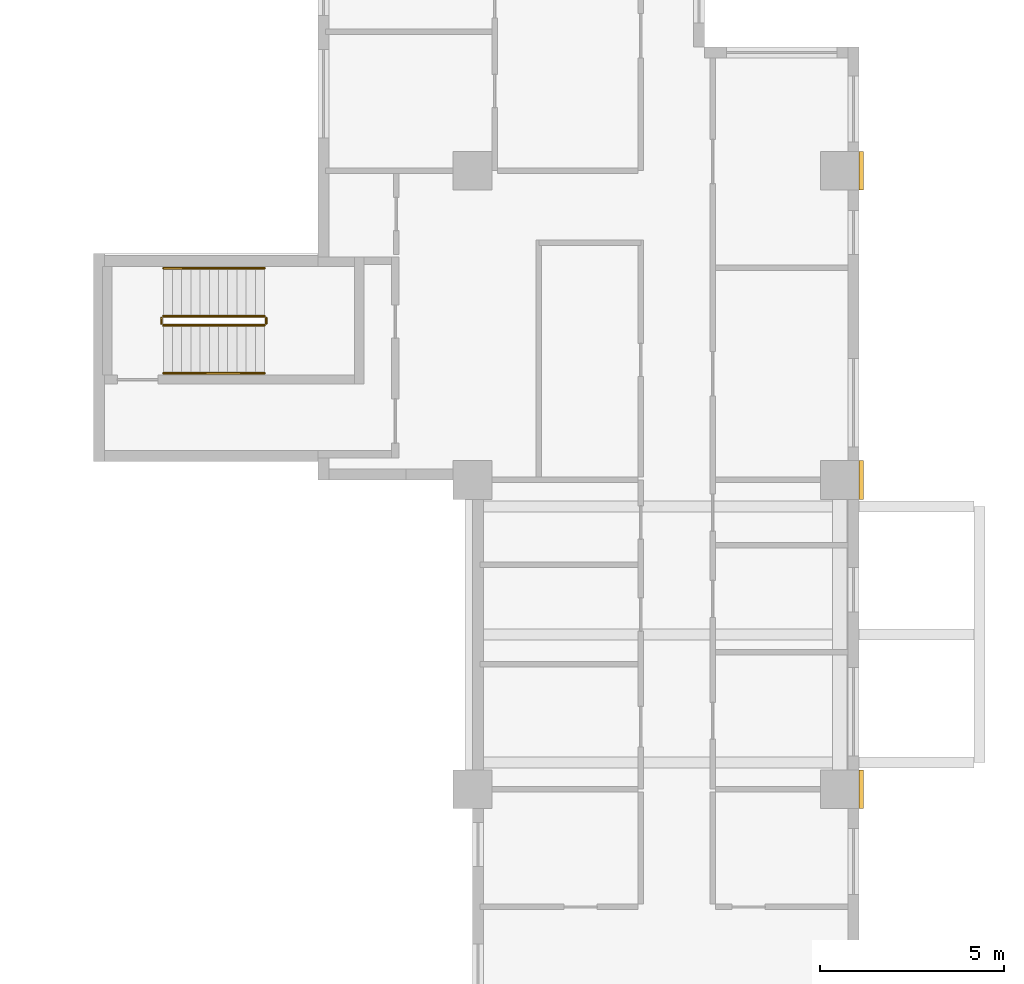
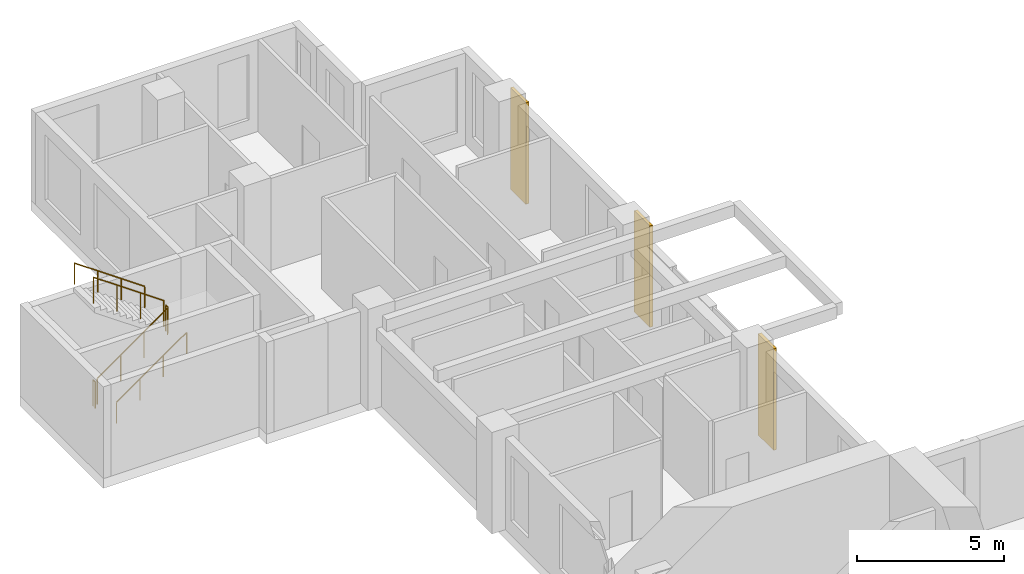
# One storey, part 13 of 14: 6 railings, 3 coverings.
"""IFC4 building model written with IfcOpenShell, lengths in metres."""

import ifcopenshell
import ifcopenshell.guid

model = None  # the IFC model being written
_history = None  # IfcOwnerHistory: only IFC2X3 demands one
_inside = {}  # id of a spatial element -> (the spatial element, [elements in it])
_under = {}  # id of a project, library or spatial element -> (it, [spatial elements below it])
_declared = {}  # id of a project -> (the project, [libraries it declares])
_typed = {}  # id of a type object -> (the type object, [elements of that type])
_made_of = {}  # id of a material, layer set ... -> (it, [elements and type objects made of it])


def new_model(schema):
    """Start an empty IFC model of exactly this schema.

    Asked for "IFC4X3", IfcOpenShell would pick the latest addendum, in which some entities
    have other attributes; the version numbers below select the first issue.
    IFC2X3 requires an IfcOwnerHistory on every rooted entity: one is made here for all.
    """
    global model, _history
    if schema == "IFC4X3":
        model = ifcopenshell.file(schema_version=(4, 3, 0, 0))
    else:
        model = ifcopenshell.file(schema=schema)
    _inside.clear()
    _under.clear()
    _declared.clear()
    _typed.clear()
    _made_of.clear()
    _history = None
    if model.schema == "IFC2X3":
        org = make("IfcOrganization", Name="unknown")
        user = make(
            "IfcPersonAndOrganization",
            ThePerson=make("IfcPerson", FamilyName="unknown"),
            TheOrganization=org,
        )
        app = make(
            "IfcApplication",
            ApplicationDeveloper=org,
            Version="unknown",
            ApplicationFullName="unknown",
            ApplicationIdentifier="unknown",
        )
        _history = make(
            "IfcOwnerHistory",
            OwningUser=user,
            OwningApplication=app,
            ChangeAction="ADDED",
            CreationDate=0,
        )
    return model


def make(cls, **values):
    """One entity of the class cls with the attributes given. An attribute that is None is left unset."""
    return model.create_entity(
        cls, **{name: value for name, value in values.items() if value is not None}
    )


def rooted(cls, **values):
    """An entity with a GlobalId (a new one), such as an element, a storey or a relation."""
    return make(cls, GlobalId=ifcopenshell.guid.new(), OwnerHistory=_history, **values)


def si_unit(unit_type, name, prefix=None):
    """IfcSIUnit, for example si_unit("LENGTHUNIT", "METRE", prefix="MILLI")."""
    return make("IfcSIUnit", UnitType=unit_type, Prefix=prefix, Name=name)


def assignment(units):
    """IfcUnitAssignment: the units of a project."""
    return None if units is None else make("IfcUnitAssignment", Units=units)


def point(xyz):
    """IfcCartesianPoint."""
    return None if xyz is None else make("IfcCartesianPoint", Coordinates=xyz)


def direction(xyz):
    """IfcDirection."""
    return None if xyz is None else make("IfcDirection", DirectionRatios=xyz)


def frame(location, z_axis=None, x_axis=None):
    """IfcAxis2Placement3D, a coordinate frame: its origin and axes. An axis left out is left unset."""
    return make(
        "IfcAxis2Placement3D",
        Location=point(location),
        Axis=direction(z_axis),
        RefDirection=direction(x_axis),
    )


def frame_2d(location, x_axis=None):
    """IfcAxis2Placement2D, a coordinate frame in the plane: its origin and x axis."""
    return make(
        "IfcAxis2Placement2D", Location=point(location), RefDirection=direction(x_axis)
    )


def origin():
    """The frame at (0, 0, 0) with its axes left unset."""
    return frame((0.0, 0.0, 0.0))


def origin_2d():
    """The frame at (0, 0) in the plane with its x axis left unset."""
    return frame_2d((0.0, 0.0))


def place(relative_to, where):
    """IfcLocalPlacement: puts the frame where relative to a parent placement (None: the world)."""
    return make(
        "IfcLocalPlacement", PlacementRelTo=relative_to, RelativePlacement=where
    )


def context(
    kind, dimensions, precision=None, world=None, true_north=None, identifier=None
):
    """IfcGeometricRepresentationContext, for example the 3D "Model" context."""
    return make(
        "IfcGeometricRepresentationContext",
        ContextIdentifier=identifier,
        ContextType=kind,
        CoordinateSpaceDimension=dimensions,
        Precision=precision,
        WorldCoordinateSystem=world,
        TrueNorth=true_north,
    )


def subcontext(parent, identifier, kind, view, scale=None):
    """IfcGeometricRepresentationSubContext, for example "Body" below "Model"."""
    return make(
        "IfcGeometricRepresentationSubContext",
        ContextIdentifier=identifier,
        ContextType=kind,
        ParentContext=parent,
        TargetScale=scale,
        TargetView=view,
    )


def project(units=None, contexts=None):
    """IfcProject with its units and contexts."""
    return rooted(
        "IfcProject",
        Name="project",
        RepresentationContexts=contexts,
        UnitsInContext=assignment(units),
    )


def spatial(cls, under=None, at=None, **own):
    """A site, building, storey or space (cls), placed at a placement, below another one or the project."""
    s = rooted(cls, ObjectPlacement=at, **own)
    if under is not None:
        _under.setdefault(under.id(), (under, []))[1].append(s)
    return s


def profile(cls, at=None, kind="AREA", **sizes):
    """A parametric profile (cls). Its sizes go by their IFC names, for example OverallWidth=200.0."""
    return make(cls, ProfileType=kind, Position=at, **sizes)


def rectangle(**sizes):
    """IfcRectangleProfileDef."""
    return profile("IfcRectangleProfileDef", **sizes)


def circle(**sizes):
    """IfcCircleProfileDef."""
    return profile("IfcCircleProfileDef", **sizes)


def extrude(swept, where, along, depth):
    """IfcExtrudedAreaSolid: the profile swept, set in the frame where, extruded along a direction by depth."""
    return make(
        "IfcExtrudedAreaSolid",
        SweptArea=swept,
        Position=where,
        ExtrudedDirection=direction(along),
        Depth=depth,
    )


def shape(context_of_items, identifier, shape_type, items):
    """IfcShapeRepresentation: the items that make up one representation, for example the "Body"."""
    return make(
        "IfcShapeRepresentation",
        ContextOfItems=context_of_items,
        RepresentationIdentifier=identifier,
        RepresentationType=shape_type,
        Items=items,
    )


def source(mapping_origin, context_of_items, identifier, shape_type, items):
    """IfcRepresentationMap: a shape defined once, which mapped items show again and again."""
    return make(
        "IfcRepresentationMap",
        MappingOrigin=mapping_origin,
        MappedRepresentation=shape(context_of_items, identifier, shape_type, items),
    )


def transform(
    local_origin,
    x_axis=None,
    y_axis=None,
    z_axis=None,
    scale=None,
    scale2=None,
    scale3=None,
    uniform=True,
):
    """IfcCartesianTransformationOperator3D, or its non-uniform kind. x_axis, y_axis, z_axis: its Axis1, 2, 3."""
    if uniform:
        return make(
            "IfcCartesianTransformationOperator3D",
            Axis1=direction(x_axis),
            Axis2=direction(y_axis),
            LocalOrigin=point(local_origin),
            Scale=scale,
            Axis3=direction(z_axis),
        )
    return make(
        "IfcCartesianTransformationOperator3DnonUniform",
        Axis1=direction(x_axis),
        Axis2=direction(y_axis),
        LocalOrigin=point(local_origin),
        Scale=scale,
        Axis3=direction(z_axis),
        Scale2=scale2,
        Scale3=scale3,
    )


def mapped(mapping_source, mapping_target):
    """IfcMappedItem: shows the shape of a source again, moved by a transform."""
    return make(
        "IfcMappedItem", MappingSource=mapping_source, MappingTarget=mapping_target
    )


def material(Name=None, Category=None):
    """IfcMaterial."""
    return make("IfcMaterial", Name=Name, Category=Category)


def made_of(thing, what):
    """Note that an element or type object is made of a material, layer set ...; save() writes the relation."""
    if what is not None:
        _made_of.setdefault(what.id(), (what, []))[1].append(thing)
    return thing


def type_object(cls, material=None, **own):
    """A type object (cls), such as IfcWallType, which elements share."""
    return made_of(rooted(cls, **own), material)


def element(
    cls,
    number,
    at=None,
    inside=None,
    cuts=None,
    type_object=None,
    material=None,
    context=None,
    identifier="Body",
    shape_type=None,
    held_by="IfcProductDefinitionShape",
    body=None,
    shapes=None,
    **own,
):
    """One element of the class cls, such as IfcWall. Its Tag is "e" and its number.

    at: its placement. inside: the storey or other place that contains it. cuts: it is an
    opening in that element (IfcRelVoidsElement). A single representation is given by context,
    identifier, shape_type and body (its items); several are given by shapes. held_by: the class
    of the entity that holds the representations. save() writes the other relations.
    """
    e = rooted(cls, Tag="e%d" % number, ObjectPlacement=at, **own)
    if body is not None:
        shapes = [shape(context, identifier, shape_type, body)]
    if shapes is not None:
        e.Representation = make(held_by, Representations=shapes)
    if inside is not None:
        _inside.setdefault(inside.id(), (inside, []))[1].append(e)
    if cuts is not None:
        rooted(
            "IfcRelVoidsElement", RelatingBuildingElement=cuts, RelatedOpeningElement=e
        )
    if type_object is not None:
        _typed.setdefault(type_object.id(), (type_object, []))[1].append(e)
    return made_of(e, material)


def aggregate(whole, parts):
    """IfcRelAggregates: a whole, such as a stair, and the parts it consists of."""
    return rooted("IfcRelAggregates", RelatingObject=whole, RelatedObjects=parts)


def save(model, path):
    """Write the relations noted so far, then the file.

    IfcRelAggregates (storeys below a building ...), IfcRelContainedInSpatialStructure (elements
    in a storey), IfcRelDefinesByType, IfcRelAssociatesMaterial and IfcRelDeclares: one each for
    every whole, place, type object, material and project.
    """
    for whole, parts in _under.values():
        aggregate(whole, parts)
    for where, things in _inside.values():
        rooted(
            "IfcRelContainedInSpatialStructure",
            RelatedElements=things,
            RelatingStructure=where,
        )
    for kind, things in _typed.values():
        rooted("IfcRelDefinesByType", RelatedObjects=things, RelatingType=kind)
    for what, things in _made_of.values():
        rooted("IfcRelAssociatesMaterial", RelatedObjects=things, RelatingMaterial=what)
    for by, libraries in _declared.values():
        rooted("IfcRelDeclares", RelatingContext=by, RelatedDefinitions=libraries)
    model.write(path)


model = new_model("IFC4")

# Units and contexts
model_context = context("Model", 3, precision=1e-05, world=origin(), true_north=direction((0.0, 1.0)))
body_context = subcontext(model_context, "Body", "Model", "MODEL_VIEW")
ifc_project = project(units=[si_unit("LENGTHUNIT", "METRE"), si_unit("AREAUNIT", "SQUARE_METRE"), si_unit("VOLUMEUNIT", "CUBIC_METRE"), si_unit("PLANEANGLEUNIT", "RADIAN"), si_unit("MASSUNIT", "GRAM", prefix="KILO")], contexts=[model_context])

# Site, building, storey
site_placement = place(None, origin())
site = spatial("IfcSite", under=ifc_project, at=site_placement, CompositionType="ELEMENT")
building_placement = place(site_placement, origin())
building = spatial("IfcBuilding", under=site, at=building_placement, Name="Aurelian Terraces", CompositionType="ELEMENT")
storey_placement = place(building_placement, frame((0.0, 0.0, 128.7)))
storey = spatial("IfcBuildingStorey", under=building, at=storey_placement, Name="L28", CompositionType="ELEMENT", Elevation=128.7)

# Coverings
ifc_material_1 = material(Name="Terracotta rainscreen cladding relief", Category="masonry")
covering_type = type_object("IfcCoveringType", Name="BAGUETTE-TC", PredefinedType="CLADDING", material=ifc_material_1)
shared_shape_1 = source(origin(), body_context, "Body", "SweptSolid", [
    extrude(rectangle(XDim=0.12, YDim=1.05, at=origin_2d()), origin(), (0.0, 0.0, 1.0), 4.2),
])
for number, where, z_axis, x_axis, name in (
    (1, (21.06, 29.4, -0.4), (0.0, 0.0, 1.0), (1.0, 0.0, 0.0), "BAGUETTE pier L28 10"),
    (2, (21.06, 37.8, -0.4), (0.0, 0.0, 1.0), (1.0, 0.0, 0.0), "BAGUETTE pier L28 11"),
    (3, (21.06, 46.2, -0.4), (0.0, 0.0, 1.0), (1.0, 0.0, 0.0), "BAGUETTE pier L28 12"),
):
    element("IfcCovering", number, at=place(storey_placement, frame(where, z_axis=z_axis, x_axis=x_axis)), inside=storey, type_object=covering_type, Name=name, PredefinedType="CLADDING", context=body_context, shape_type="MappedRepresentation", body=[
        mapped(shared_shape_1, transform((0.0, 0.0, 0.0), scale=1.0)),
    ])

# Railings
ifc_material_2 = material(Name="Stainless steel", Category="steel")
railing_type_1 = type_object("IfcRailingType", Name="Stair guard 1100", PredefinedType="GUARDRAIL", material=ifc_material_2)
shared_shape_2 = source(origin(), body_context, "Body", "SweptSolid", [
    extrude(circle(Radius=0.024, at=origin_2d()), frame((0.0, 0.0, 1.076), z_axis=(0.0, 1.0, 0.0), x_axis=(-1.0, 0.0, 0.0)), (0.0, 0.0, 1.0), 0.15),
    extrude(circle(Radius=0.021, at=origin_2d()), origin(), (0.0, 0.0, 1.0), 1.052),
    extrude(circle(Radius=0.021, at=origin_2d()), frame((0.0, 0.15, 0.0)), (0.0, 0.0, 1.0), 1.052),
])
for number, where, name in (
    (4, (4.9, 42.05, 2.1), "L28 S3 stair guard 2"),
    (5, (2.05, 42.05, 0.0), "L28 S3 stair guard 4"),
):
    element("IfcRailing", number, at=place(storey_placement, frame(where)), inside=storey, type_object=railing_type_1, Name=name, PredefinedType="GUARDRAIL", context=body_context, shape_type="MappedRepresentation", body=[
        mapped(shared_shape_2, transform((0.0, 0.0, 0.0), scale=1.0)),
    ])
shared_shape_3 = source(origin(), body_context, "Body", "SweptSolid", [
    extrude(circle(Radius=0.024, at=origin_2d()), frame((0.0, 0.0, 1.076), z_axis=(0.819231920519, 0.0, 0.573462344363), x_axis=(0.0, 1.0, 0.0)), (0.0, 0.0, 1.0), 3.3568),
    extrude(circle(Radius=0.021, at=origin_2d()), origin(), (0.0, 0.0, 1.0), 1.052),
    extrude(circle(Radius=0.021, at=origin_2d()), frame((0.9167, 0.0, 0.6417)), (0.0, 0.0, 1.0), 1.052),
    extrude(circle(Radius=0.021, at=origin_2d()), frame((1.8333, 0.0, 1.2833)), (0.0, 0.0, 1.0), 1.052),
    extrude(circle(Radius=0.021, at=origin_2d()), frame((2.75, 0.0, 1.925)), (0.0, 0.0, 1.0), 1.052),
])
railing_1_placement = place(storey_placement, frame((2.1, 42.0, 0.175)))
element("IfcRailing", 6, at=railing_1_placement, inside=storey, type_object=railing_type_1, Name="L28 S3 stair guard 1", PredefinedType="GUARDRAIL", context=body_context, shape_type="MappedRepresentation", body=[
    mapped(shared_shape_3, transform((0.0, 0.0, 0.0), scale=1.0)),
])
shared_shape_4 = source(origin(), body_context, "Body", "SweptSolid", [
    extrude(circle(Radius=0.024, at=origin_2d()), frame((0.0, 0.0, 1.076), z_axis=(-0.819231920519, 0.0, 0.573462344363), x_axis=(0.0, -1.0, 0.0)), (0.0, 0.0, 1.0), 3.3568),
    extrude(circle(Radius=0.021, at=origin_2d()), origin(), (0.0, 0.0, 1.0), 1.052),
    extrude(circle(Radius=0.021, at=origin_2d()), frame((-0.9167, 0.0, 0.6417)), (0.0, 0.0, 1.0), 1.052),
    extrude(circle(Radius=0.021, at=origin_2d()), frame((-1.8333, 0.0, 1.2833)), (0.0, 0.0, 1.0), 1.052),
    extrude(circle(Radius=0.021, at=origin_2d()), frame((-2.75, 0.0, 1.925)), (0.0, 0.0, 1.0), 1.052),
])
railing_2_placement = place(storey_placement, frame((4.85, 42.25, 2.275)))
element("IfcRailing", 7, at=railing_2_placement, inside=storey, type_object=railing_type_1, Name="L28 S3 stair guard 3", PredefinedType="GUARDRAIL", context=body_context, shape_type="MappedRepresentation", body=[
    mapped(shared_shape_4, transform((0.0, 0.0, 0.0), scale=1.0)),
])
railing_type_2 = type_object("IfcRailingType", Name="Stair handrail", PredefinedType="HANDRAIL", material=ifc_material_2)
shared_shape_5 = source(origin(), body_context, "Body", "SweptSolid", [
    extrude(circle(Radius=0.024, at=origin_2d()), frame((0.0, 0.0, 0.876), z_axis=(0.819231920519, 0.0, 0.573462344363), x_axis=(0.0, 1.0, 0.0)), (0.0, 0.0, 1.0), 3.3568),
    extrude(circle(Radius=0.021, at=origin_2d()), origin(), (0.0, 0.0, 1.0), 0.852),
    extrude(circle(Radius=0.021, at=origin_2d()), frame((0.9167, 0.0, 0.6417)), (0.0, 0.0, 1.0), 0.852),
    extrude(circle(Radius=0.021, at=origin_2d()), frame((1.8333, 0.0, 1.2833)), (0.0, 0.0, 1.0), 0.852),
    extrude(circle(Radius=0.021, at=origin_2d()), frame((2.75, 0.0, 1.925)), (0.0, 0.0, 1.0), 0.852),
])
railing_3_placement = place(storey_placement, frame((2.1, 40.7, 0.175)))
element("IfcRailing", 8, at=railing_3_placement, inside=storey, type_object=railing_type_2, Name="L28 S3 stair handrail 1", PredefinedType="HANDRAIL", context=body_context, shape_type="MappedRepresentation", body=[
    mapped(shared_shape_5, transform((0.0, 0.0, 0.0), scale=1.0)),
])
shared_shape_6 = source(origin(), body_context, "Body", "SweptSolid", [
    extrude(circle(Radius=0.024, at=origin_2d()), frame((0.0, 0.0, 0.876), z_axis=(-0.819231920519, 0.0, 0.573462344363), x_axis=(0.0, -1.0, 0.0)), (0.0, 0.0, 1.0), 3.3568),
    extrude(circle(Radius=0.021, at=origin_2d()), origin(), (0.0, 0.0, 1.0), 0.852),
    extrude(circle(Radius=0.021, at=origin_2d()), frame((-0.9167, 0.0, 0.6417)), (0.0, 0.0, 1.0), 0.852),
    extrude(circle(Radius=0.021, at=origin_2d()), frame((-1.8333, 0.0, 1.2833)), (0.0, 0.0, 1.0), 0.852),
    extrude(circle(Radius=0.021, at=origin_2d()), frame((-2.75, 0.0, 1.925)), (0.0, 0.0, 1.0), 0.852),
])
railing_4_placement = place(storey_placement, frame((4.85, 43.55, 2.275)))
element("IfcRailing", 9, at=railing_4_placement, inside=storey, type_object=railing_type_2, Name="L28 S3 stair handrail 2", PredefinedType="HANDRAIL", context=body_context, shape_type="MappedRepresentation", body=[
    mapped(shared_shape_6, transform((0.0, 0.0, 0.0), scale=1.0)),
])

save(model, "model.ifc")
